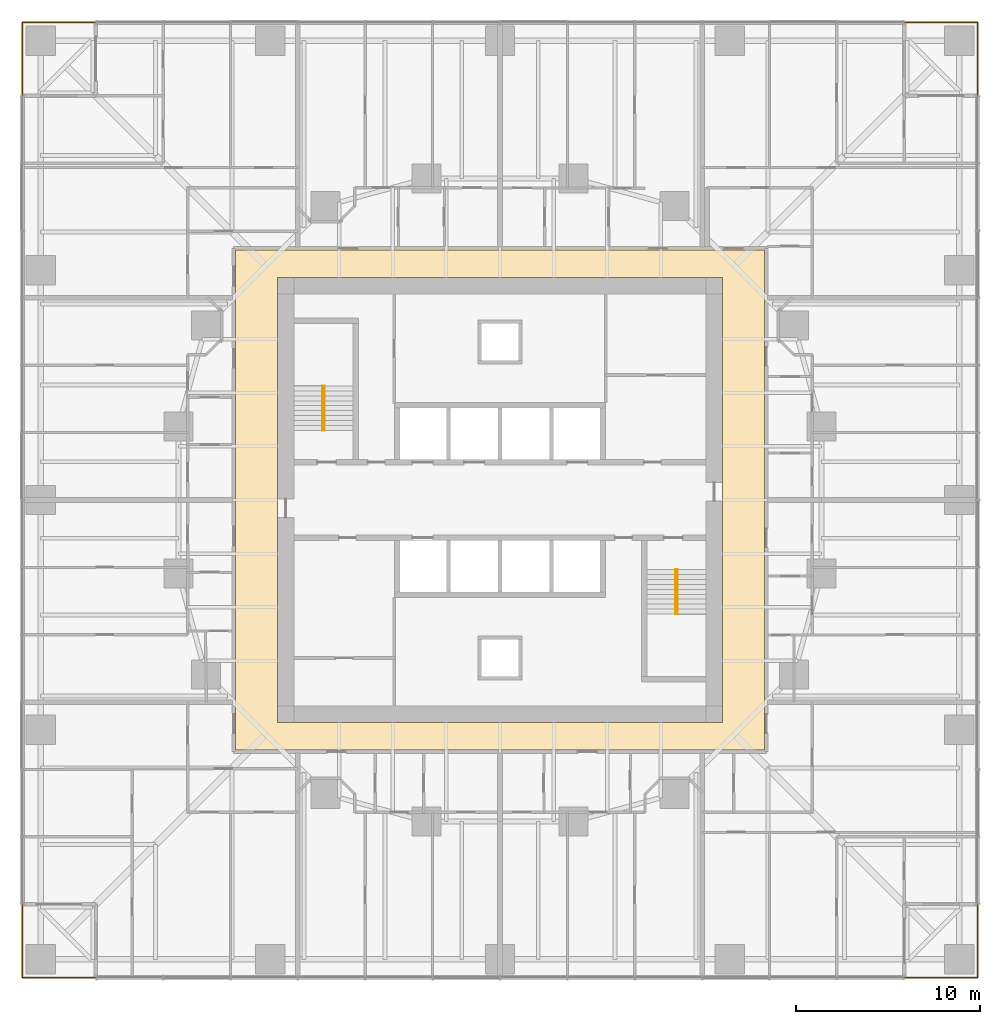
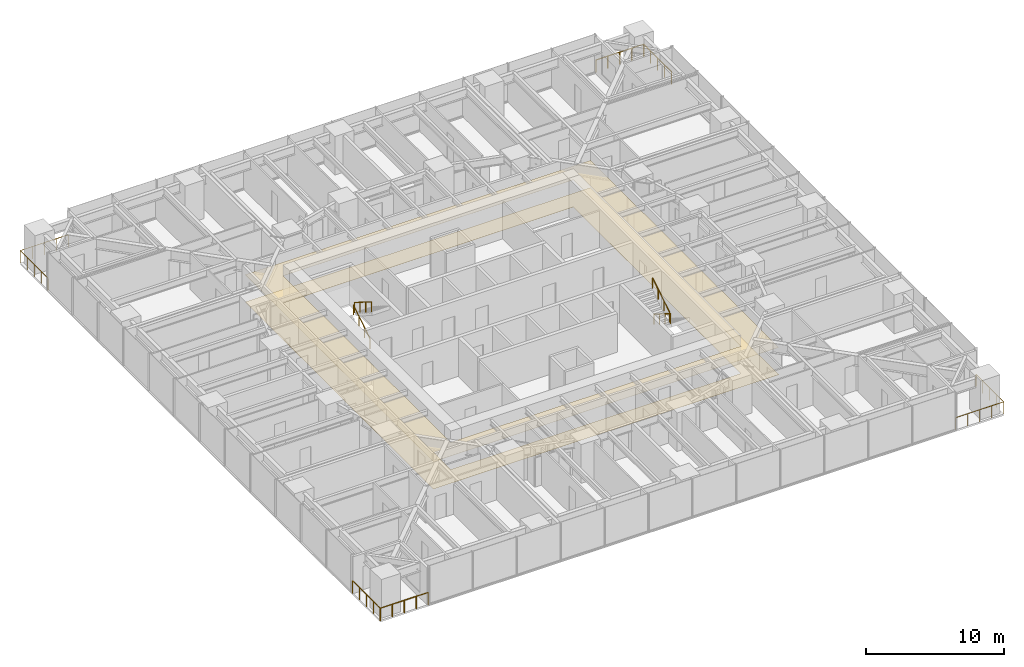
# One storey, part 17 of 17: 8 railings, 2 coverings, 2 elements without a shape of their own.
"""IFC4 building model written with IfcOpenShell, lengths in metres."""

from ifc_helpers import new_model, si_unit, direction, frame, origin, origin_2d, place, context, subcontext, project, spatial, polyline, circle, outline, extrude, material, layer, layer_set, type_object, element, aggregate, save


model = new_model("IFC4")

# Units and contexts
model_context = context("Model", 3, precision=1e-05, world=origin(), true_north=direction((0.0, 1.0)))
body_context = subcontext(model_context, "Body", "Model", "MODEL_VIEW")
ifc_project = project(units=[si_unit("LENGTHUNIT", "METRE"), si_unit("AREAUNIT", "SQUARE_METRE"), si_unit("VOLUMEUNIT", "CUBIC_METRE"), si_unit("PLANEANGLEUNIT", "RADIAN"), si_unit("MASSUNIT", "GRAM", prefix="KILO")], contexts=[model_context])

# Site, building, storey
site_placement = place(None, origin())
site = spatial("IfcSite", under=ifc_project, at=site_placement, CompositionType="ELEMENT")
building_placement = place(site_placement, origin())
building = spatial("IfcBuilding", under=site, at=building_placement, Name="Torsade Residences", CompositionType="ELEMENT")
storey_placement = place(building_placement, frame((0.0, 0.0, 18.39990234375)))
storey = spatial("IfcBuildingStorey", under=building, at=storey_placement, Name="L04", CompositionType="ELEMENT", Elevation=18.39990234375)

# Coverings
ifc_material_1 = material(Name="Nylon carpet tile on underlay", Category="textile")
ifc_layer_1 = layer(ifc_material_1, 0.010009765625)
ifc_layer_set_1 = layer_set([ifc_layer_1], Name="Nylon carpet tile on underlay")
covering_type_1 = type_object("IfcCoveringType", Name="CORRIDOR CARPET TILE 10", PredefinedType="FLOORING", material=ifc_layer_set_1)
covering_1_placement = place(storey_placement, origin())
element("IfcCovering", 1, at=covering_1_placement, inside=storey, type_object=covering_type_1, Name="Corridor carpet L04", PredefinedType="FLOORING", context=body_context, shape_type="SweptSolid", body=[
    extrude(outline(polyline([(54.39990234375, 16.39990234375), (54.39990234375, 43.60009765625), (25.60009765625, 43.60009765625), (25.60009765625, 16.39990234375), (54.39990234375, 16.39990234375)]), holes=[polyline([(52.10009765625, 42.10009765625), (27.89990234375, 42.10009765625), (27.89990234375, 17.89990234375), (52.10009765625, 17.89990234375), (52.10009765625, 42.10009765625)])]), origin(), (0.0, 0.0, 1.0), 0.010009765625),
])
ifc_material_2 = material(Name="Plasterboard on suspended steel grid", Category="steel")
ifc_layer_2 = layer(ifc_material_2, 0.012939453125)
ifc_layer_set_2 = layer_set([ifc_layer_2], Name="Plasterboard on suspended steel grid")
covering_type_2 = type_object("IfcCoveringType", Name="CORRIDOR SUSPENDED CEILING 13", PredefinedType="CEILING", material=ifc_layer_set_2)
covering_2_placement = place(storey_placement, frame((0.0, 0.0, 2.400146484375)))
element("IfcCovering", 2, at=covering_2_placement, inside=storey, type_object=covering_type_2, Name="Corridor ceiling L04", PredefinedType="CEILING", context=body_context, shape_type="SweptSolid", body=[
    extrude(outline(polyline([(54.39990234375, 16.39990234375), (54.39990234375, 43.60009765625), (25.60009765625, 43.60009765625), (25.60009765625, 16.39990234375), (54.39990234375, 16.39990234375)]), holes=[polyline([(52.10009765625, 42.10009765625), (27.89990234375, 42.10009765625), (27.89990234375, 17.89990234375), (52.10009765625, 17.89990234375), (52.10009765625, 42.10009765625)])]), origin(), (0.0, 0.0, 1.0), 0.012939453125),
])

# Stair, railings
ifc_material_3 = material(Name="Precast concrete 40 MPa", Category="concrete")
stair_type = type_object("IfcStairType", Name="HALF-TURN FIRE STAIR 1500x3400", PredefinedType="HALF_TURN_STAIR", material=ifc_material_3)
stair_1_placement = place(storey_placement, origin())
stair_1 = element("IfcStair", 3, at=stair_1_placement, inside=storey, type_object=stair_type, Name="Stair ST1 L04", PredefinedType="HALF_TURN_STAIR")
ifc_material_4 = material(Name="Steel handrail", Category="steel")
railing_type_1 = type_object("IfcRailingType", Name="STAIR HANDRAIL 900", PredefinedType="HANDRAIL", material=ifc_material_4)
railing_1_placement = place(storey_placement, frame((30.35009765625, 33.780029296875, 0.170166015625)))
railing_1 = element("IfcRailing", 4, at=railing_1_placement, type_object=railing_type_1, Name="Handrail ST1 flight 1 L04", PredefinedType="HANDRAIL", context=body_context, shape_type="SweptSolid", body=[
    extrude(circle(Radius=0.02392578125, at=origin_2d()), frame((0.0, 0.0, 0.8759765625), z_axis=(0.0, 0.846221481393, 0.532831309544), x_axis=(-1.0, 0.0, 0.0)), (0.0, 0.0, 1.0), 2.87158203125),
    extrude(circle(Radius=0.02099609375, at=origin_2d()), origin(), (0.0, 0.0, 1.0), 0.851806640625),
    extrude(circle(Radius=0.02099609375, at=origin_2d()), frame((0.0, 0.81005859375, 0.510009765625)), (0.0, 0.0, 1.0), 0.851806640625),
    extrude(circle(Radius=0.02099609375, at=origin_2d()), frame((0.0, 1.619873046875, 1.02001953125)), (0.0, 0.0, 1.0), 0.851806640625),
    extrude(circle(Radius=0.02099609375, at=origin_2d()), frame((0.0, 2.429931640625, 1.530029296875)), (0.0, 0.0, 1.0), 0.851806640625),
])
railing_2_placement = place(storey_placement, frame((30.449951171875, 36.2099609375, 1.8701171875)))
railing_2 = element("IfcRailing", 5, at=railing_2_placement, type_object=railing_type_1, Name="Handrail ST1 flight 2 L04", PredefinedType="HANDRAIL", context=body_context, shape_type="SweptSolid", body=[
    extrude(circle(Radius=0.02392578125, at=origin_2d()), frame((0.0, 0.0, 0.8759765625), z_axis=(0.0, -0.846221481393, 0.532831309544), x_axis=(1.0, 0.0, 0.0)), (0.0, 0.0, 1.0), 2.87158203125),
    extrude(circle(Radius=0.02099609375, at=origin_2d()), origin(), (0.0, 0.0, 1.0), 0.851806640625),
    extrude(circle(Radius=0.02099609375, at=origin_2d()), frame((0.0, -0.81005859375, 0.510009765625)), (0.0, 0.0, 1.0), 0.851806640625),
    extrude(circle(Radius=0.02099609375, at=origin_2d()), frame((0.0, -1.619873046875, 1.02001953125)), (0.0, 0.0, 1.0), 0.851806640625),
    extrude(circle(Radius=0.02099609375, at=origin_2d()), frame((0.0, -2.429931640625, 1.530029296875)), (0.0, 0.0, 1.0), 0.851806640625),
])
aggregate(stair_1, [railing_1, railing_2])

stair_2_placement = place(storey_placement, origin())
stair_2 = element("IfcStair", 6, at=stair_2_placement, inside=storey, type_object=stair_type, Name="Stair ST2 L04", PredefinedType="HALF_TURN_STAIR")
railing_3_placement = place(storey_placement, frame((49.64990234375, 26.219970703125, 0.170166015625)))
railing_3 = element("IfcRailing", 7, at=railing_3_placement, type_object=railing_type_1, Name="Handrail ST2 flight 1 L04", PredefinedType="HANDRAIL", context=body_context, shape_type="SweptSolid", body=[
    extrude(circle(Radius=0.02392578125, at=origin_2d()), frame((0.0, 0.0, 0.8759765625), z_axis=(0.0, -0.846221481393, 0.532831309544), x_axis=(1.0, 0.0, 0.0)), (0.0, 0.0, 1.0), 2.87158203125),
    extrude(circle(Radius=0.02099609375, at=origin_2d()), origin(), (0.0, 0.0, 1.0), 0.851806640625),
    extrude(circle(Radius=0.02099609375, at=origin_2d()), frame((0.0, -0.81005859375, 0.510009765625)), (0.0, 0.0, 1.0), 0.851806640625),
    extrude(circle(Radius=0.02099609375, at=origin_2d()), frame((0.0, -1.619873046875, 1.02001953125)), (0.0, 0.0, 1.0), 0.851806640625),
    extrude(circle(Radius=0.02099609375, at=origin_2d()), frame((0.0, -2.429931640625, 1.530029296875)), (0.0, 0.0, 1.0), 0.851806640625),
])
railing_4_placement = place(storey_placement, frame((49.550048828125, 23.7900390625, 1.8701171875)))
railing_4 = element("IfcRailing", 8, at=railing_4_placement, type_object=railing_type_1, Name="Handrail ST2 flight 2 L04", PredefinedType="HANDRAIL", context=body_context, shape_type="SweptSolid", body=[
    extrude(circle(Radius=0.02392578125, at=origin_2d()), frame((0.0, 0.0, 0.8759765625), z_axis=(0.0, 0.846221481393, 0.532831309544), x_axis=(-1.0, 0.0, 0.0)), (0.0, 0.0, 1.0), 2.87158203125),
    extrude(circle(Radius=0.02099609375, at=origin_2d()), origin(), (0.0, 0.0, 1.0), 0.851806640625),
    extrude(circle(Radius=0.02099609375, at=origin_2d()), frame((0.0, 0.81005859375, 0.510009765625)), (0.0, 0.0, 1.0), 0.851806640625),
    extrude(circle(Radius=0.02099609375, at=origin_2d()), frame((0.0, 1.619873046875, 1.02001953125)), (0.0, 0.0, 1.0), 0.851806640625),
    extrude(circle(Radius=0.02099609375, at=origin_2d()), frame((0.0, 2.429931640625, 1.530029296875)), (0.0, 0.0, 1.0), 0.851806640625),
])
aggregate(stair_2, [railing_3, railing_4])

# Railings
ifc_material_5 = material(Name="Laminated glass balustrade", Category="glass")
railing_type_2 = type_object("IfcRailingType", Name="TERRACE GLASS BALUSTRADE 1100", PredefinedType="BALUSTRADE", material=ifc_material_5)
railing_5_placement = place(storey_placement, frame((62.0, 4.0, 0.0)))
element("IfcRailing", 9, at=railing_5_placement, inside=storey, type_object=railing_type_2, Name="Terrace balustrade SE L04", PredefinedType="BALUSTRADE", context=body_context, shape_type="SweptSolid", body=[
    extrude(circle(Radius=0.02392578125, at=origin_2d()), frame((0.0, 0.0, 1.076171875), z_axis=(1.0, 0.0, 0.0), x_axis=(0.0, 1.0, 0.0)), (0.0, 0.0, 1.0), 4.0),
    extrude(circle(Radius=0.02392578125, at=origin_2d()), frame((4.0, 0.0, 1.076171875), z_axis=(0.0, 1.0, 0.0), x_axis=(-1.0, 0.0, 0.0)), (0.0, 0.0, 1.0), 4.0),
    extrude(circle(Radius=0.02099609375, at=origin_2d()), origin(), (0.0, 0.0, 1.0), 1.052001953125),
    extrude(circle(Radius=0.02099609375, at=origin_2d()), frame((1.0, 0.0, 0.0)), (0.0, 0.0, 1.0), 1.052001953125),
    extrude(circle(Radius=0.02099609375, at=origin_2d()), frame((2.0, 0.0, 0.0)), (0.0, 0.0, 1.0), 1.052001953125),
    extrude(circle(Radius=0.02099609375, at=origin_2d()), frame((3.0, 0.0, 0.0)), (0.0, 0.0, 1.0), 1.052001953125),
    extrude(circle(Radius=0.02099609375, at=origin_2d()), frame((4.0, 0.0, 0.0)), (0.0, 0.0, 1.0), 1.052001953125),
    extrude(circle(Radius=0.02099609375, at=origin_2d()), frame((4.0, 1.0, 0.0)), (0.0, 0.0, 1.0), 1.052001953125),
    extrude(circle(Radius=0.02099609375, at=origin_2d()), frame((4.0, 2.0, 0.0)), (0.0, 0.0, 1.0), 1.052001953125),
    extrude(circle(Radius=0.02099609375, at=origin_2d()), frame((4.0, 3.0, 0.0)), (0.0, 0.0, 1.0), 1.052001953125),
    extrude(circle(Radius=0.02099609375, at=origin_2d()), frame((4.0, 4.0, 0.0)), (0.0, 0.0, 1.0), 1.052001953125),
])
railing_6_placement = place(storey_placement, frame((66.0, 52.0, 0.0)))
element("IfcRailing", 10, at=railing_6_placement, inside=storey, type_object=railing_type_2, Name="Terrace balustrade NE L04", PredefinedType="BALUSTRADE", context=body_context, shape_type="SweptSolid", body=[
    extrude(circle(Radius=0.02392578125, at=origin_2d()), frame((0.0, 0.0, 1.076171875), z_axis=(0.0, 1.0, 0.0), x_axis=(-1.0, 0.0, 0.0)), (0.0, 0.0, 1.0), 4.0),
    extrude(circle(Radius=0.02392578125, at=origin_2d()), frame((0.0, 4.0, 1.076171875), z_axis=(-1.0, 0.0, 0.0), x_axis=(0.0, -1.0, 0.0)), (0.0, 0.0, 1.0), 4.0),
    extrude(circle(Radius=0.02099609375, at=origin_2d()), origin(), (0.0, 0.0, 1.0), 1.052001953125),
    extrude(circle(Radius=0.02099609375, at=origin_2d()), frame((0.0, 1.0, 0.0)), (0.0, 0.0, 1.0), 1.052001953125),
    extrude(circle(Radius=0.02099609375, at=origin_2d()), frame((0.0, 2.0, 0.0)), (0.0, 0.0, 1.0), 1.052001953125),
    extrude(circle(Radius=0.02099609375, at=origin_2d()), frame((0.0, 3.0, 0.0)), (0.0, 0.0, 1.0), 1.052001953125),
    extrude(circle(Radius=0.02099609375, at=origin_2d()), frame((0.0, 4.0, 0.0)), (0.0, 0.0, 1.0), 1.052001953125),
    extrude(circle(Radius=0.02099609375, at=origin_2d()), frame((-1.0, 4.0, 0.0)), (0.0, 0.0, 1.0), 1.052001953125),
    extrude(circle(Radius=0.02099609375, at=origin_2d()), frame((-2.0, 4.0, 0.0)), (0.0, 0.0, 1.0), 1.052001953125),
    extrude(circle(Radius=0.02099609375, at=origin_2d()), frame((-3.0, 4.0, 0.0)), (0.0, 0.0, 1.0), 1.052001953125),
    extrude(circle(Radius=0.02099609375, at=origin_2d()), frame((-4.0, 4.0, 0.0)), (0.0, 0.0, 1.0), 1.052001953125),
])
railing_7_placement = place(storey_placement, frame((18.0, 56.0, 0.0)))
element("IfcRailing", 11, at=railing_7_placement, inside=storey, type_object=railing_type_2, Name="Terrace balustrade NW L04", PredefinedType="BALUSTRADE", context=body_context, shape_type="SweptSolid", body=[
    extrude(circle(Radius=0.02392578125, at=origin_2d()), frame((0.0, 0.0, 1.076171875), z_axis=(-1.0, 0.0, 0.0), x_axis=(0.0, -1.0, 0.0)), (0.0, 0.0, 1.0), 4.0),
    extrude(circle(Radius=0.02392578125, at=origin_2d()), frame((-4.0, 0.0, 1.076171875), z_axis=(0.0, -1.0, 0.0), x_axis=(1.0, 0.0, 0.0)), (0.0, 0.0, 1.0), 4.0),
    extrude(circle(Radius=0.02099609375, at=origin_2d()), origin(), (0.0, 0.0, 1.0), 1.052001953125),
    extrude(circle(Radius=0.02099609375, at=origin_2d()), frame((-1.0, 0.0, 0.0)), (0.0, 0.0, 1.0), 1.052001953125),
    extrude(circle(Radius=0.02099609375, at=origin_2d()), frame((-2.0, 0.0, 0.0)), (0.0, 0.0, 1.0), 1.052001953125),
    extrude(circle(Radius=0.02099609375, at=origin_2d()), frame((-3.0, 0.0, 0.0)), (0.0, 0.0, 1.0), 1.052001953125),
    extrude(circle(Radius=0.02099609375, at=origin_2d()), frame((-4.0, 0.0, 0.0)), (0.0, 0.0, 1.0), 1.052001953125),
    extrude(circle(Radius=0.02099609375, at=origin_2d()), frame((-4.0, -1.0, 0.0)), (0.0, 0.0, 1.0), 1.052001953125),
    extrude(circle(Radius=0.02099609375, at=origin_2d()), frame((-4.0, -2.0, 0.0)), (0.0, 0.0, 1.0), 1.052001953125),
    extrude(circle(Radius=0.02099609375, at=origin_2d()), frame((-4.0, -3.0, 0.0)), (0.0, 0.0, 1.0), 1.052001953125),
    extrude(circle(Radius=0.02099609375, at=origin_2d()), frame((-4.0, -4.0, 0.0)), (0.0, 0.0, 1.0), 1.052001953125),
])
railing_8_placement = place(storey_placement, frame((14.0, 8.0, 0.0)))
element("IfcRailing", 12, at=railing_8_placement, inside=storey, type_object=railing_type_2, Name="Terrace balustrade SW L04", PredefinedType="BALUSTRADE", context=body_context, shape_type="SweptSolid", body=[
    extrude(circle(Radius=0.02392578125, at=origin_2d()), frame((0.0, 0.0, 1.076171875), z_axis=(0.0, -1.0, 0.0), x_axis=(1.0, 0.0, 0.0)), (0.0, 0.0, 1.0), 4.0),
    extrude(circle(Radius=0.02392578125, at=origin_2d()), frame((0.0, -4.0, 1.076171875), z_axis=(1.0, 0.0, 0.0), x_axis=(0.0, 1.0, 0.0)), (0.0, 0.0, 1.0), 4.0),
    extrude(circle(Radius=0.02099609375, at=origin_2d()), origin(), (0.0, 0.0, 1.0), 1.052001953125),
    extrude(circle(Radius=0.02099609375, at=origin_2d()), frame((0.0, -1.0, 0.0)), (0.0, 0.0, 1.0), 1.052001953125),
    extrude(circle(Radius=0.02099609375, at=origin_2d()), frame((0.0, -2.0, 0.0)), (0.0, 0.0, 1.0), 1.052001953125),
    extrude(circle(Radius=0.02099609375, at=origin_2d()), frame((0.0, -3.0, 0.0)), (0.0, 0.0, 1.0), 1.052001953125),
    extrude(circle(Radius=0.02099609375, at=origin_2d()), frame((0.0, -4.0, 0.0)), (0.0, 0.0, 1.0), 1.052001953125),
    extrude(circle(Radius=0.02099609375, at=origin_2d()), frame((1.0, -4.0, 0.0)), (0.0, 0.0, 1.0), 1.052001953125),
    extrude(circle(Radius=0.02099609375, at=origin_2d()), frame((2.0, -4.0, 0.0)), (0.0, 0.0, 1.0), 1.052001953125),
    extrude(circle(Radius=0.02099609375, at=origin_2d()), frame((3.0, -4.0, 0.0)), (0.0, 0.0, 1.0), 1.052001953125),
    extrude(circle(Radius=0.02099609375, at=origin_2d()), frame((4.0, -4.0, 0.0)), (0.0, 0.0, 1.0), 1.052001953125),
])

save(model, "model.ifc")
